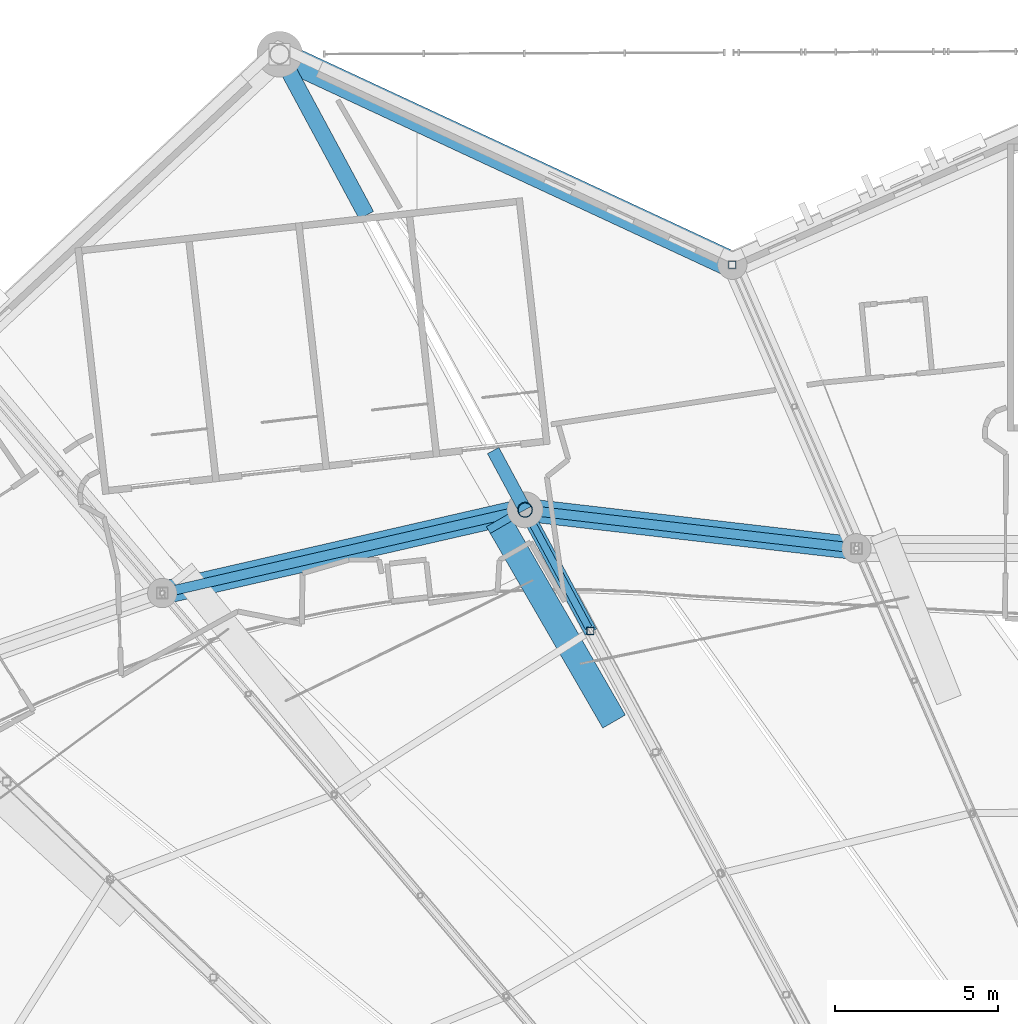
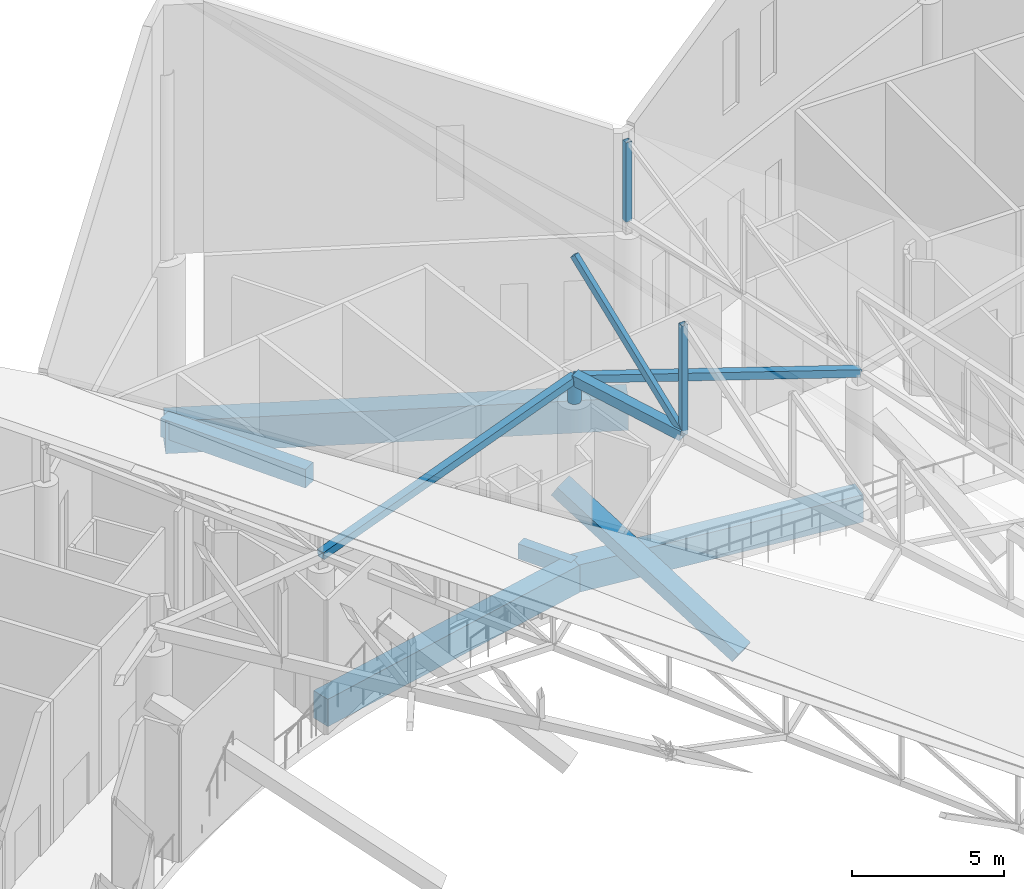
# One storey, part 161 of 344: 7 members, 6 beams.
"""IFC4 building model written with IfcOpenShell, lengths in metres."""

from ifc_helpers import new_model, si_unit, direction, frame, origin, origin_2d, place, context, subcontext, project, spatial, rectangle, hollow_rectangle, hollow_circle, extrude, material, material_profile, profile_set, type_object, element, save


model = new_model("IFC4")

# Units and contexts
model_context = context("Model", 3, precision=1e-05, world=origin(), true_north=direction((0.0, 1.0)))
body_context = subcontext(model_context, "Body", "Model", "MODEL_VIEW")
ifc_project = project(units=[si_unit("LENGTHUNIT", "METRE"), si_unit("AREAUNIT", "SQUARE_METRE"), si_unit("VOLUMEUNIT", "CUBIC_METRE"), si_unit("PLANEANGLEUNIT", "RADIAN"), si_unit("MASSUNIT", "GRAM", prefix="KILO")], contexts=[model_context])

# Site, building, storey
site_placement = place(None, origin())
site = spatial("IfcSite", under=ifc_project, at=site_placement, CompositionType="ELEMENT")
building_placement = place(site_placement, origin())
building = spatial("IfcBuilding", under=site, at=building_placement, Name="Meseta Stadium", CompositionType="ELEMENT")
storey_placement = place(building_placement, frame((0.0, 0.0, 24.0)))
storey = spatial("IfcBuildingStorey", under=building, at=storey_placement, Name="L04", CompositionType="ELEMENT", Elevation=24.0)

# Member
ifc_material_1 = material(Name="Steel S355", Category="steel")
ifc_material_profile_1 = material_profile(ifc_material_1, hollow_circle(Radius=0.228515625, WallThickness=0.01611328125, at=origin_2d()), Name="CHS 457x16")
ifc_profile_set_1 = profile_set([ifc_material_profile_1], Name="Steel S355")
member_type_1 = type_object("IfcMemberType", Name="CHS 457x16 pedestal", PredefinedType="POST", material=ifc_profile_set_1)
member_1_placement = place(storey_placement, frame((-44.6826171875, 91.0908203125, 6.0), z_axis=(0.0, 0.0, 1.0), x_axis=(1.0, 0.0, 0.0)))
element("IfcMember", 1, at=member_1_placement, inside=storey, type_object=member_type_1, Name="ROOF TRUSS RT-22 pedestal", PredefinedType="POST", context=body_context, shape_type="SweptSolid", body=[
    extrude(hollow_circle(Radius=0.228515625, WallThickness=0.01611328125, at=origin_2d()), origin(), (0.0, 0.0, 1.0), 0.939453125),
])

# Beams
ifc_material_2 = material(Name="Concrete C40/50", Category="concrete")
ifc_material_profile_2 = material_profile(ifc_material_2, rectangle(XDim=0.39990234375, YDim=0.60009765625, at=origin_2d()), Name="RC 400x600")
ifc_profile_set_2 = profile_set([ifc_material_profile_2], Name="Concrete C40/50")
beam_type_1 = type_object("IfcBeamType", Name="RC beam 400x600", PredefinedType="BEAM", material=ifc_profile_set_2)
beam_1_placement = place(storey_placement, frame((-44.6826171875, 91.0908203125, -0.699951171875), z_axis=(-0.474170370951, 0.880433108937, 0.0), x_axis=(-0.880433108937, -0.474170370951, 0.0)))
element("IfcBeam", 2, at=beam_1_placement, inside=storey, type_object=beam_type_1, Name="L04 radial beam frame 22 line P to R", PredefinedType="BEAM", context=body_context, shape_type="SweptSolid", body=[
    extrude(rectangle(XDim=0.39990234375, YDim=0.60009765625, at=origin_2d()), origin(), (0.0, 0.0, 1.0), 2.063720703125),
])
ifc_material_3 = material(Name="Concrete C40/50", Category="concrete")
ifc_material_profile_3 = material_profile(ifc_material_3, rectangle(XDim=0.5, YDim=0.75, at=origin_2d()), Name="RC 500x750")
ifc_profile_set_3 = profile_set([ifc_material_profile_3], Name="Concrete C40/50")
beam_type_2 = type_object("IfcBeamType", Name="RC beam 500x750", PredefinedType="BEAM", material=ifc_profile_set_3)
beam_2_placement = place(storey_placement, frame((-49.54541015625, 100.1181640625, -0.77490234375), z_axis=(-0.474227121741, 0.880402542594, 0.0), x_axis=(-0.880402542594, -0.474227121741, 0.0)))
element("IfcBeam", 3, at=beam_2_placement, inside=storey, type_object=beam_type_2, Name="L04 radial beam frame 22 line P to R", PredefinedType="BEAM", context=body_context, shape_type="SweptSolid", body=[
    extrude(rectangle(XDim=0.5, YDim=0.75, at=origin_2d()), origin(), (0.0, 0.0, 1.0), 5.603759765625),
])
ifc_material_4 = material(Name="Concrete C40/50", Category="concrete")
ifc_material_profile_4 = material_profile(ifc_material_4, rectangle(XDim=0.699951171875, YDim=1.10009765625, at=origin_2d()), Name="RC 700x1100")
ifc_profile_set_4 = profile_set([ifc_material_profile_4], Name="Concrete C40/50")
beam_type_3 = type_object("IfcBeamType", Name="RC beam 700x1100", PredefinedType="BEAM", material=ifc_profile_set_4)
beam_3_placement = place(storey_placement, frame((-34.53076171875, 89.911865234375, -0.949951171875), z_axis=(-0.993324132456, 0.115356698466, 0.0), x_axis=(-0.115356698466, -0.993324132456, 0.0)))
element("IfcBeam", 4, at=beam_3_placement, inside=storey, type_object=beam_type_3, Name="L04 ring beam frame 21 line P", PredefinedType="BEAM", context=body_context, shape_type="SweptSolid", body=[
    extrude(rectangle(XDim=0.699951171875, YDim=1.10009765625, at=origin_2d()), origin(), (0.0, 0.0, 1.0), 10.219970703125),
])
beam_4_placement = place(storey_placement, frame((-44.6826171875, 91.0908203125, -0.949951171875), z_axis=(-0.974704832518, -0.22349606141, 0.0), x_axis=(0.22349606141, -0.974704832518, 0.0)))
element("IfcBeam", 5, at=beam_4_placement, inside=storey, type_object=beam_type_3, Name="L04 ring beam frame 22 line P", PredefinedType="BEAM", context=body_context, shape_type="SweptSolid", body=[
    extrude(rectangle(XDim=0.699951171875, YDim=1.10009765625, at=origin_2d()), origin(), (0.0, 0.0, 1.0), 11.405517578125),
])
ifc_material_5 = material(Name="Concrete C40/50", Category="concrete")
ifc_material_profile_5 = material_profile(ifc_material_5, rectangle(XDim=0.800048828125, YDim=1.300048828125, at=origin_2d()), Name="RC 800x1300")
ifc_profile_set_5 = profile_set([ifc_material_profile_5], Name="Concrete C40/50")
beam_type_4 = type_object("IfcBeamType", Name="RC beam 800x1300", PredefinedType="BEAM", material=ifc_profile_set_5)
beam_5_placement = place(storey_placement, frame((-38.333251953125, 98.60009765625, -1.050048828125), z_axis=(-0.906704363154, 0.421766757625, 0.0), x_axis=(-0.421766757625, -0.906704363154, 0.0)))
element("IfcBeam", 6, at=beam_5_placement, inside=storey, type_object=beam_type_4, Name="L04 ring beam frame 21 line R", PredefinedType="BEAM", context=body_context, shape_type="SweptSolid", body=[
    extrude(rectangle(XDim=0.800048828125, YDim=1.300048828125, at=origin_2d()), origin(), (0.0, 0.0, 1.0), 15.296630859375),
])
ifc_material_6 = material(Name="Concrete C40/50", Category="concrete")
ifc_material_profile_6 = material_profile(ifc_material_6, rectangle(XDim=0.800048828125, YDim=0.449951171875, at=origin_2d()), Name="RC 800x450")
ifc_profile_set_6 = profile_set([ifc_material_profile_6], Name="Concrete C40/50")
beam_type_5 = type_object("IfcBeamType", Name="RC raker upper rear 800x450", PredefinedType="USERDEFINED", material=ifc_profile_set_6)
beam_6_placement = place(storey_placement, frame((-42.015380859375, 84.707275390625, -1.177001953125), z_axis=(-0.424672671023, 0.734687631023, 0.529043672401), x_axis=(-0.865769864994, -0.5004423452, 0.0)))
element("IfcBeam", 7, at=beam_6_placement, inside=storey, type_object=beam_type_5, Name="Raker upper rear frame 22 upper tier", ObjectType="RAKER", PredefinedType="USERDEFINED", context=body_context, shape_type="SweptSolid", body=[
    extrude(rectangle(XDim=0.800048828125, YDim=0.449951171875, at=origin_2d()), origin(), (0.0, 0.0, 1.0), 8.116943359375),
])

# Members
ifc_material_7 = material(Name="Steel S355", Category="steel")
ifc_material_profile_7 = material_profile(ifc_material_7, hollow_rectangle(XDim=0.219970703125, YDim=0.219970703125, WallThickness=0.008056640625, at=origin_2d()), Name="SHS 220x220x8")
ifc_profile_set_7 = profile_set([ifc_material_profile_7], Name="Steel S355")
member_type_2 = type_object("IfcMemberType", Name="SHS 220x220x8 diagonal", PredefinedType="BRACE", material=ifc_profile_set_7)
member_2_placement = place(storey_placement, frame((-42.682373046875, 87.3779296875, 6.225830078125), z_axis=(-0.28421947005, 0.527573501833, 0.800553241833), x_axis=(-0.880372563769, -0.474282773209, 0.0)))
element("IfcMember", 8, at=member_2_placement, inside=storey, type_object=member_type_2, Name="ROOF TRUSS RT-22 diagonal", PredefinedType="BRACE", context=body_context, shape_type="SweptSolid", body=[
    extrude(hollow_rectangle(XDim=0.219970703125, YDim=0.219970703125, WallThickness=0.008056640625, at=origin_2d()), origin(), (0.0, 0.0, 1.0), 7.03759765625),
])
ifc_material_8 = material(Name="Steel S355", Category="steel")
ifc_material_profile_8 = material_profile(ifc_material_8, hollow_rectangle(XDim=0.219970703125, YDim=0.219970703125, WallThickness=0.008056640625, at=origin_2d()), Name="SHS 220x220x8")
ifc_profile_set_8 = profile_set([ifc_material_profile_8], Name="Steel S355")
member_type_3 = type_object("IfcMemberType", Name="SHS 220x220x8 post", PredefinedType="POST", material=ifc_profile_set_8)
member_3_placement = place(storey_placement, frame((-42.682373046875, 87.3779296875, 6.225830078125), z_axis=(0.0, 0.0, 1.0), x_axis=(1.0, 0.0, 0.0)))
element("IfcMember", 9, at=member_3_placement, inside=storey, type_object=member_type_3, Name="ROOF TRUSS RT-22 post", PredefinedType="POST", context=body_context, shape_type="SweptSolid", body=[
    extrude(hollow_rectangle(XDim=0.219970703125, YDim=0.219970703125, WallThickness=0.008056640625, at=origin_2d()), origin(), (0.0, 0.0, 1.0), 4.41748046875),
])
ifc_material_9 = material(Name="Steel S355", Category="steel")
ifc_material_profile_9 = material_profile(ifc_material_9, hollow_rectangle(XDim=0.219970703125, YDim=0.219970703125, WallThickness=0.008056640625, at=origin_2d()), Name="SHS 220x220x8")
ifc_profile_set_9 = profile_set([ifc_material_profile_9], Name="Steel S355")
member_type_4 = type_object("IfcMemberType", Name="SHS 220x220x8 rim post", PredefinedType="POST", material=ifc_profile_set_9)
member_4_placement = place(storey_placement, frame((-38.333251953125, 98.60009765625, 6.47802734375), z_axis=(0.0, 0.0, 1.0), x_axis=(1.0, 0.0, 0.0)))
element("IfcMember", 10, at=member_4_placement, inside=storey, type_object=member_type_4, Name="ROOF TRUSS RT-21 post", PredefinedType="POST", context=body_context, shape_type="SweptSolid", body=[
    extrude(hollow_rectangle(XDim=0.219970703125, YDim=0.219970703125, WallThickness=0.008056640625, at=origin_2d()), origin(), (0.0, 0.0, 1.0), 3.199951171875),
])
ifc_material_10 = material(Name="Steel S355", Category="steel")
ifc_material_profile_10 = material_profile(ifc_material_10, hollow_rectangle(XDim=0.300048828125, YDim=0.300048828125, WallThickness=0.010009765625, at=origin_2d()), Name="SHS 300x300x10")
ifc_profile_set_10 = profile_set([ifc_material_profile_10], Name="Steel S355")
member_type_5 = type_object("IfcMemberType", Name="SHS 300x300x10 pivot strut", PredefinedType="STRUT", material=ifc_profile_set_10)
member_5_placement = place(storey_placement, frame((-34.53076171875, 89.911865234375, 4.338134765625), z_axis=(-0.962631153881, 0.111792262087, 0.246665262484), x_axis=(-0.115356698466, -0.993324132456, 0.0)))
element("IfcMember", 11, at=member_5_placement, inside=storey, type_object=member_type_5, Name="ROOF PIVOT STRUT RT-21/22", PredefinedType="STRUT", context=body_context, shape_type="SweptSolid", body=[
    extrude(hollow_rectangle(XDim=0.300048828125, YDim=0.300048828125, WallThickness=0.010009765625, at=origin_2d()), origin(), (0.0, 0.0, 1.0), 10.5458984375),
])
member_6_placement = place(storey_placement, frame((-44.6826171875, 91.0908203125, 6.939453125), z_axis=(-0.964130454418, -0.221071397268, -0.146901001268), x_axis=(0.22349606141, -0.974704832518, 0.0)))
element("IfcMember", 12, at=member_6_placement, inside=storey, type_object=member_type_5, Name="ROOF PIVOT STRUT RT-22/23", PredefinedType="STRUT", context=body_context, shape_type="SweptSolid", body=[
    extrude(hollow_rectangle(XDim=0.300048828125, YDim=0.300048828125, WallThickness=0.010009765625, at=origin_2d()), origin(), (0.0, 0.0, 1.0), 11.530517578125),
])
ifc_material_11 = material(Name="Steel S355", Category="steel")
ifc_material_profile_11 = material_profile(ifc_material_11, hollow_rectangle(XDim=0.39990234375, YDim=0.39990234375, WallThickness=0.01416015625, at=origin_2d()), Name="SHS 400x400x14.2")
ifc_profile_set_11 = profile_set([ifc_material_profile_11], Name="Steel S355")
member_type_6 = type_object("IfcMemberType", Name="SHS 400x400x14.2 bottom chord", PredefinedType="CHORD", material=ifc_profile_set_11)
member_7_placement = place(storey_placement, frame((-42.682373046875, 87.3779296875, 6.225830078125), z_axis=(-0.467635430822, 0.868033642371, 0.166837344598), x_axis=(-0.880372563769, -0.474282773209, 0.0)))
element("IfcMember", 13, at=member_7_placement, inside=storey, type_object=member_type_6, Name="ROOF TRUSS RT-22 bottom chord", PredefinedType="CHORD", context=body_context, shape_type="SweptSolid", body=[
    extrude(hollow_rectangle(XDim=0.39990234375, YDim=0.39990234375, WallThickness=0.01416015625, at=origin_2d()), origin(), (0.0, 0.0, 1.0), 4.27734375),
])

save(model, "model.ifc")
